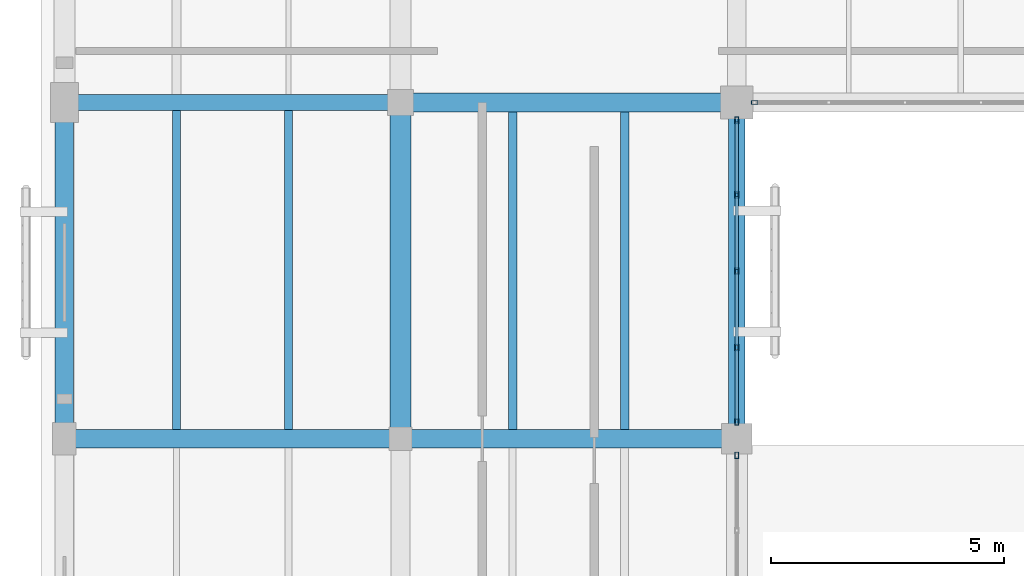
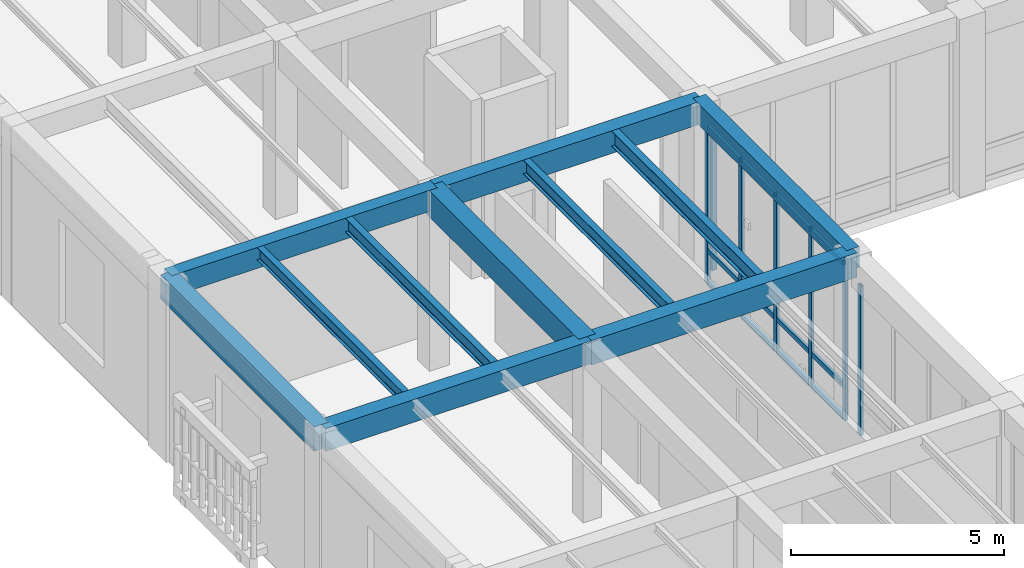
# One storey, part 56 of 169: 19 members, 11 beams, 3 elements without a shape of their own.
"""IFC4 building model written with IfcOpenShell, lengths in metres."""

from ifc_helpers import new_model, si_unit, direction, frame, origin, origin_2d, place, context, subcontext, project, spatial, rectangle, hollow_rectangle, i_section, extrude, material, layer, layer_set, material_profile, profile_set, type_object, element, aggregate, save


model = new_model("IFC4")

# Units and contexts
model_context = context("Model", 3, precision=1e-05, world=origin(), true_north=direction((0.0, 1.0)))
body_context = subcontext(model_context, "Body", "Model", "MODEL_VIEW")
ifc_project = project(units=[si_unit("LENGTHUNIT", "METRE"), si_unit("AREAUNIT", "SQUARE_METRE"), si_unit("VOLUMEUNIT", "CUBIC_METRE"), si_unit("PLANEANGLEUNIT", "RADIAN"), si_unit("MASSUNIT", "GRAM", prefix="KILO")], contexts=[model_context])

# Site, building, storey
site_placement = place(None, origin())
site = spatial("IfcSite", under=ifc_project, at=site_placement, CompositionType="ELEMENT")
building_placement = place(site_placement, origin())
building = spatial("IfcBuilding", under=site, at=building_placement, Name="Mazaris Harbour Polytechnic", CompositionType="ELEMENT")
storey_placement = place(building_placement, origin())
storey = spatial("IfcBuildingStorey", under=building, at=storey_placement, Name="L00", CompositionType="ELEMENT", Elevation=0.0)

# Curtain wall, member
ifc_material_1 = material(Name="Anodised Bronze Aluminium and Low-E Glass", Category="aluminium")
ifc_layer = layer(ifc_material_1, 0.159912109375, Name="Anodised Bronze Aluminium and Low-E Glass")
ifc_layer_set = layer_set([ifc_layer], Name="Anodised Bronze Aluminium and Low-E Glass")
curtain_wall_type = type_object("IfcCurtainWallType", Name="Cloister Court Curtain Wall", PredefinedType="NOTDEFINED", material=ifc_layer_set)
curtain_wall_1_placement = place(storey_placement, origin())
curtain_wall_1 = element("IfcCurtainWall", 1, at=curtain_wall_1_placement, inside=storey, type_object=curtain_wall_type, Name="V4 L00 Curtain Wall 101", PredefinedType="NOTDEFINED")
ifc_material_2 = material(Name="Anodised Bronze Steel S355", Category="steel")
ifc_material_profile_1 = material_profile(ifc_material_2, hollow_rectangle(XDim=0.080078125, YDim=0.139892578125, WallThickness=0.00634765625, at=origin_2d()), Name="RHS 80x140x6.3")
ifc_profile_set_1 = profile_set([ifc_material_profile_1], Name="Anodised Bronze Steel S355")
member_type_1 = type_object("IfcMemberType", Name="Curtain Mullion RHS80x140", PredefinedType="MULLION", material=ifc_profile_set_1)
member_1_placement = place(storey_placement, frame((14.781982421875, 68.39990234375, 0.0), z_axis=(0.0, 0.0, 1.0), x_axis=(0.0, -1.0, 0.0)))
member_1 = element("IfcMember", 2, at=member_1_placement, type_object=member_type_1, Name="CW-02 mullion 5", PredefinedType="MULLION", context=body_context, shape_type="SweptSolid", body=[
    extrude(hollow_rectangle(XDim=0.080078125, YDim=0.139892578125, WallThickness=0.00634765625, at=origin_2d()), origin(), (0.0, 0.0, 1.0), 4.389892578125),
])
aggregate(curtain_wall_1, [member_1])

curtain_wall_2_placement = place(storey_placement, origin())
curtain_wall_2 = element("IfcCurtainWall", 3, at=curtain_wall_2_placement, inside=storey, type_object=curtain_wall_type, Name="V4 L00 Curtain Wall 105", PredefinedType="NOTDEFINED")
member_2_placement = place(storey_placement, frame((14.39990234375, 60.843017578125, 0.0), z_axis=(0.0, 0.0, 1.0), x_axis=(-1.0, 0.0, 0.0)))
member_2 = element("IfcMember", 4, at=member_2_placement, type_object=member_type_1, Name="CW-02 mullion 5", PredefinedType="MULLION", context=body_context, shape_type="SweptSolid", body=[
    extrude(hollow_rectangle(XDim=0.080078125, YDim=0.139892578125, WallThickness=0.00634765625, at=origin_2d()), origin(), (0.0, 0.0, 1.0), 4.2900390625),
])
aggregate(curtain_wall_2, [member_2])

# Curtain wall, members
curtain_wall_3_placement = place(storey_placement, origin())
curtain_wall_3 = element("IfcCurtainWall", 5, at=curtain_wall_3_placement, inside=storey, type_object=curtain_wall_type, Name="V4 L00 Curtain Wall 106", PredefinedType="NOTDEFINED")
member_3_placement = place(storey_placement, frame((14.39990234375, 61.556884765625, 0.0), z_axis=(0.0, 0.0, 1.0), x_axis=(-1.0, 0.0, 0.0)))
member_3 = element("IfcMember", 6, at=member_3_placement, type_object=member_type_1, Name="CW-02 mullion 1", PredefinedType="MULLION", context=body_context, shape_type="SweptSolid", body=[
    extrude(hollow_rectangle(XDim=0.080078125, YDim=0.139892578125, WallThickness=0.00634765625, at=origin_2d()), origin(), (0.0, 0.0, 1.0), 4.489990234375),
])
member_4_placement = place(storey_placement, frame((14.39990234375, 63.15234375, 0.0), z_axis=(0.0, 0.0, 1.0), x_axis=(-1.0, 0.0, 0.0)))
member_4 = element("IfcMember", 7, at=member_4_placement, type_object=member_type_1, Name="CW-02 mullion 2", PredefinedType="MULLION", context=body_context, shape_type="SweptSolid", body=[
    extrude(hollow_rectangle(XDim=0.080078125, YDim=0.139892578125, WallThickness=0.00634765625, at=origin_2d()), origin(), (0.0, 0.0, 1.0), 4.489990234375),
])
member_5_placement = place(storey_placement, frame((14.39990234375, 64.78759765625, 0.0), z_axis=(0.0, 0.0, 1.0), x_axis=(-1.0, 0.0, 0.0)))
member_5 = element("IfcMember", 8, at=member_5_placement, type_object=member_type_1, Name="CW-02 mullion 3", PredefinedType="MULLION", context=body_context, shape_type="SweptSolid", body=[
    extrude(hollow_rectangle(XDim=0.080078125, YDim=0.139892578125, WallThickness=0.00634765625, at=origin_2d()), origin(), (0.0, 0.0, 1.0), 4.489990234375),
])
member_6_placement = place(storey_placement, frame((14.39990234375, 66.4228515625, 0.0), z_axis=(0.0, 0.0, 1.0), x_axis=(-1.0, 0.0, 0.0)))
member_6 = element("IfcMember", 9, at=member_6_placement, type_object=member_type_1, Name="CW-02 mullion 4", PredefinedType="MULLION", context=body_context, shape_type="SweptSolid", body=[
    extrude(hollow_rectangle(XDim=0.080078125, YDim=0.139892578125, WallThickness=0.00634765625, at=origin_2d()), origin(), (0.0, 0.0, 1.0), 4.489990234375),
])
member_7_placement = place(storey_placement, frame((14.39990234375, 68.01806640625, 0.0), z_axis=(0.0, 0.0, 1.0), x_axis=(-1.0, 0.0, 0.0)))
member_7 = element("IfcMember", 10, at=member_7_placement, type_object=member_type_1, Name="CW-02 mullion 5", PredefinedType="MULLION", context=body_context, shape_type="SweptSolid", body=[
    extrude(hollow_rectangle(XDim=0.080078125, YDim=0.139892578125, WallThickness=0.00634765625, at=origin_2d()), origin(), (0.0, 0.0, 1.0), 4.489990234375),
])
ifc_material_3 = material(Name="Anodised Bronze Steel S355", Category="steel")
ifc_material_profile_2 = material_profile(ifc_material_3, hollow_rectangle(XDim=0.080078125, YDim=0.139892578125, WallThickness=0.00634765625, at=origin_2d()), Name="RHS 80x140x6.3")
ifc_profile_set_2 = profile_set([ifc_material_profile_2], Name="Anodised Bronze Steel S355")
member_type_2 = type_object("IfcMemberType", Name="Curtain Transom RHS80x140", PredefinedType="USERDEFINED", material=ifc_profile_set_2)
member_8_placement = place(storey_placement, frame((14.39990234375, 61.596923828125, 0.0400390625), z_axis=(0.0, 1.0, 0.0), x_axis=(-1.0, 0.0, 0.0)))
member_8 = element("IfcMember", 11, at=member_8_placement, type_object=member_type_2, Name="CW-02 transom 1.1", ObjectType="TRANSOM", PredefinedType="USERDEFINED", context=body_context, shape_type="SweptSolid", body=[
    extrude(hollow_rectangle(XDim=0.080078125, YDim=0.139892578125, WallThickness=0.00634765625, at=origin_2d()), origin(), (0.0, 0.0, 1.0), 1.515380859375),
])
member_9_placement = place(storey_placement, frame((14.39990234375, 61.596923828125, 0.949951171875), z_axis=(0.0, 1.0, 0.0), x_axis=(-1.0, 0.0, 0.0)))
member_9 = element("IfcMember", 12, at=member_9_placement, type_object=member_type_2, Name="CW-02 transom 1.2", ObjectType="TRANSOM", PredefinedType="USERDEFINED", context=body_context, shape_type="SweptSolid", body=[
    extrude(hollow_rectangle(XDim=0.080078125, YDim=0.139892578125, WallThickness=0.00634765625, at=origin_2d()), origin(), (0.0, 0.0, 1.0), 1.515380859375),
])
member_10_placement = place(storey_placement, frame((14.39990234375, 61.596923828125, 4.449951171875), z_axis=(0.0, 1.0, 0.0), x_axis=(-1.0, 0.0, 0.0)))
member_10 = element("IfcMember", 13, at=member_10_placement, type_object=member_type_2, Name="CW-02 transom 1.3", ObjectType="TRANSOM", PredefinedType="USERDEFINED", context=body_context, shape_type="SweptSolid", body=[
    extrude(hollow_rectangle(XDim=0.080078125, YDim=0.139892578125, WallThickness=0.00634765625, at=origin_2d()), origin(), (0.0, 0.0, 1.0), 1.515380859375),
])
member_11_placement = place(storey_placement, frame((14.39990234375, 63.192138671875, 0.0400390625), z_axis=(0.0, 1.0, 0.0), x_axis=(-1.0, 0.0, 0.0)))
member_11 = element("IfcMember", 14, at=member_11_placement, type_object=member_type_2, Name="CW-02 transom 2.1", ObjectType="TRANSOM", PredefinedType="USERDEFINED", context=body_context, shape_type="SweptSolid", body=[
    extrude(hollow_rectangle(XDim=0.080078125, YDim=0.139892578125, WallThickness=0.00634765625, at=origin_2d()), origin(), (0.0, 0.0, 1.0), 1.555419921875),
])
member_12_placement = place(storey_placement, frame((14.39990234375, 63.192138671875, 0.949951171875), z_axis=(0.0, 1.0, 0.0), x_axis=(-1.0, 0.0, 0.0)))
member_12 = element("IfcMember", 15, at=member_12_placement, type_object=member_type_2, Name="CW-02 transom 2.2", ObjectType="TRANSOM", PredefinedType="USERDEFINED", context=body_context, shape_type="SweptSolid", body=[
    extrude(hollow_rectangle(XDim=0.080078125, YDim=0.139892578125, WallThickness=0.00634765625, at=origin_2d()), origin(), (0.0, 0.0, 1.0), 1.555419921875),
])
member_13_placement = place(storey_placement, frame((14.39990234375, 63.192138671875, 4.449951171875), z_axis=(0.0, 1.0, 0.0), x_axis=(-1.0, 0.0, 0.0)))
member_13 = element("IfcMember", 16, at=member_13_placement, type_object=member_type_2, Name="CW-02 transom 2.3", ObjectType="TRANSOM", PredefinedType="USERDEFINED", context=body_context, shape_type="SweptSolid", body=[
    extrude(hollow_rectangle(XDim=0.080078125, YDim=0.139892578125, WallThickness=0.00634765625, at=origin_2d()), origin(), (0.0, 0.0, 1.0), 1.555419921875),
])
member_14_placement = place(storey_placement, frame((14.39990234375, 64.827392578125, 0.0400390625), z_axis=(0.0, 1.0, 0.0), x_axis=(-1.0, 0.0, 0.0)))
member_14 = element("IfcMember", 17, at=member_14_placement, type_object=member_type_2, Name="CW-02 transom 3.1", ObjectType="TRANSOM", PredefinedType="USERDEFINED", context=body_context, shape_type="SweptSolid", body=[
    extrude(hollow_rectangle(XDim=0.080078125, YDim=0.139892578125, WallThickness=0.00634765625, at=origin_2d()), origin(), (0.0, 0.0, 1.0), 1.555419921875),
])
member_15_placement = place(storey_placement, frame((14.39990234375, 64.827392578125, 0.949951171875), z_axis=(0.0, 1.0, 0.0), x_axis=(-1.0, 0.0, 0.0)))
member_15 = element("IfcMember", 18, at=member_15_placement, type_object=member_type_2, Name="CW-02 transom 3.2", ObjectType="TRANSOM", PredefinedType="USERDEFINED", context=body_context, shape_type="SweptSolid", body=[
    extrude(hollow_rectangle(XDim=0.080078125, YDim=0.139892578125, WallThickness=0.00634765625, at=origin_2d()), origin(), (0.0, 0.0, 1.0), 1.555419921875),
])
member_16_placement = place(storey_placement, frame((14.39990234375, 64.827392578125, 4.449951171875), z_axis=(0.0, 1.0, 0.0), x_axis=(-1.0, 0.0, 0.0)))
member_16 = element("IfcMember", 19, at=member_16_placement, type_object=member_type_2, Name="CW-02 transom 3.3", ObjectType="TRANSOM", PredefinedType="USERDEFINED", context=body_context, shape_type="SweptSolid", body=[
    extrude(hollow_rectangle(XDim=0.080078125, YDim=0.139892578125, WallThickness=0.00634765625, at=origin_2d()), origin(), (0.0, 0.0, 1.0), 1.555419921875),
])
member_17_placement = place(storey_placement, frame((14.39990234375, 66.462646484375, 0.0400390625), z_axis=(0.0, 1.0, 0.0), x_axis=(-1.0, 0.0, 0.0)))
member_17 = element("IfcMember", 20, at=member_17_placement, type_object=member_type_2, Name="CW-02 transom 4.1", ObjectType="TRANSOM", PredefinedType="USERDEFINED", context=body_context, shape_type="SweptSolid", body=[
    extrude(hollow_rectangle(XDim=0.080078125, YDim=0.139892578125, WallThickness=0.00634765625, at=origin_2d()), origin(), (0.0, 0.0, 1.0), 1.515380859375),
])
member_18_placement = place(storey_placement, frame((14.39990234375, 66.462646484375, 0.949951171875), z_axis=(0.0, 1.0, 0.0), x_axis=(-1.0, 0.0, 0.0)))
member_18 = element("IfcMember", 21, at=member_18_placement, type_object=member_type_2, Name="CW-02 transom 4.2", ObjectType="TRANSOM", PredefinedType="USERDEFINED", context=body_context, shape_type="SweptSolid", body=[
    extrude(hollow_rectangle(XDim=0.080078125, YDim=0.139892578125, WallThickness=0.00634765625, at=origin_2d()), origin(), (0.0, 0.0, 1.0), 1.515380859375),
])
member_19_placement = place(storey_placement, frame((14.39990234375, 66.462646484375, 4.449951171875), z_axis=(0.0, 1.0, 0.0), x_axis=(-1.0, 0.0, 0.0)))
member_19 = element("IfcMember", 22, at=member_19_placement, type_object=member_type_2, Name="CW-02 transom 4.3", ObjectType="TRANSOM", PredefinedType="USERDEFINED", context=body_context, shape_type="SweptSolid", body=[
    extrude(hollow_rectangle(XDim=0.080078125, YDim=0.139892578125, WallThickness=0.00634765625, at=origin_2d()), origin(), (0.0, 0.0, 1.0), 1.515380859375),
])
aggregate(curtain_wall_3, [member_3, member_4, member_5, member_6, member_7, member_8, member_9, member_10, member_11, member_12, member_13, member_14, member_15, member_16, member_17, member_18, member_19])

# Beams
ifc_material_4 = material(Name="Concrete C35/45", Category="concrete")
ifc_material_profile_3 = material_profile(ifc_material_4, rectangle(XDim=0.35009765625, YDim=0.60009765625, at=origin_2d()), Name="RECT350x600")
ifc_profile_set_3 = profile_set([ifc_material_profile_3], Name="Concrete C35/45")
beam_type_1 = type_object("IfcBeamType", Name="RC Girder 350x600", PredefinedType="BEAM", material=ifc_profile_set_3)
for number, where, z_axis, x_axis, name in (
    (23, (0.0, 68.39990234375, 4.800048828125), (1.0, 0.0, 0.0), (0.0, 1.0, 0.0), "V4 L00 Girder 1395"),
    (24, (14.39990234375, 61.199951171875, 4.800048828125), (0.0, 1.0, 0.0), (-1.0, 0.0, 0.0), "V4 L00 Tie Girder 1455"),
):
    element("IfcBeam", number, at=place(storey_placement, frame(where, z_axis=z_axis, x_axis=x_axis)), inside=storey, type_object=beam_type_1, Name=name, PredefinedType="BEAM", context=body_context, shape_type="SweptSolid", body=[
        extrude(rectangle(XDim=0.35009765625, YDim=0.60009765625, at=origin_2d()), origin(), (0.0, 0.0, 1.0), 7.199951171875),
    ])
ifc_material_5 = material(Name="Concrete C35/45", Category="concrete")
ifc_material_profile_4 = material_profile(ifc_material_5, rectangle(XDim=0.39990234375, YDim=0.64990234375, at=origin_2d()), Name="RECT400x650")
ifc_profile_set_4 = profile_set([ifc_material_profile_4], Name="Concrete C35/45")
beam_type_2 = type_object("IfcBeamType", Name="RC Girder 400x650", PredefinedType="BEAM", material=ifc_profile_set_4)
for number, where, z_axis, x_axis, name in (
    (25, (0.0, 61.199951171875, 4.77490234375), (1.0, 0.0, 0.0), (0.0, 1.0, 0.0), "V4 L00 Girder 1391"),
    (26, (7.199951171875, 68.39990234375, 4.77490234375), (1.0, 0.0, 0.0), (0.0, 1.0, 0.0), "V4 L00 Girder 1396"),
):
    element("IfcBeam", number, at=place(storey_placement, frame(where, z_axis=z_axis, x_axis=x_axis)), inside=storey, type_object=beam_type_2, Name=name, PredefinedType="BEAM", context=body_context, shape_type="SweptSolid", body=[
        extrude(rectangle(XDim=0.39990234375, YDim=0.64990234375, at=origin_2d()), origin(), (0.0, 0.0, 1.0), 7.199951171875),
    ])
ifc_material_6 = material(Name="Concrete C35/45", Category="concrete")
ifc_material_profile_5 = material_profile(ifc_material_6, rectangle(XDim=0.39990234375, YDim=0.699951171875, at=origin_2d()), Name="RECT400x700")
ifc_profile_set_5 = profile_set([ifc_material_profile_5], Name="Concrete C35/45")
beam_type_3 = type_object("IfcBeamType", Name="RC Girder 400x700", PredefinedType="BEAM", material=ifc_profile_set_5)
beam_1_placement = place(storey_placement, frame((7.199951171875, 61.199951171875, 4.75), z_axis=(1.0, 0.0, 0.0), x_axis=(0.0, 1.0, 0.0)))
element("IfcBeam", 27, at=beam_1_placement, inside=storey, type_object=beam_type_3, Name="V4 L00 Girder 1392", PredefinedType="BEAM", context=body_context, shape_type="SweptSolid", body=[
    extrude(rectangle(XDim=0.39990234375, YDim=0.699951171875, at=origin_2d()), origin(), (0.0, 0.0, 1.0), 7.199951171875),
])
ifc_material_7 = material(Name="Concrete C35/45", Category="concrete")
ifc_material_profile_6 = material_profile(ifc_material_7, rectangle(XDim=0.39990234375, YDim=0.699951171875, at=origin_2d()), Name="RECT400x700")
ifc_profile_set_6 = profile_set([ifc_material_profile_6], Name="Concrete C35/45")
beam_type_4 = type_object("IfcBeamType", Name="RC Girder 400x700 Exterior", PredefinedType="BEAM", material=ifc_profile_set_6)
beam_2_placement = place(storey_placement, frame((0.0, 61.199951171875, 4.75), z_axis=(0.0, 1.0, 0.0), x_axis=(-1.0, 0.0, 0.0)))
element("IfcBeam", 28, at=beam_2_placement, inside=storey, type_object=beam_type_4, Name="V4 L00 Tie Girder 1432", PredefinedType="BEAM", context=body_context, shape_type="SweptSolid", body=[
    extrude(rectangle(XDim=0.39990234375, YDim=0.699951171875, at=origin_2d()), origin(), (0.0, 0.0, 1.0), 7.199951171875),
])
ifc_material_8 = material(Name="Concrete C40/50", Category="concrete")
ifc_material_profile_7 = material_profile(ifc_material_8, rectangle(XDim=0.449951171875, YDim=0.75, at=origin_2d()), Name="RECT450x750")
ifc_profile_set_7 = profile_set([ifc_material_profile_7], Name="Concrete C40/50")
beam_type_5 = type_object("IfcBeamType", Name="RC Girder 450x750", PredefinedType="BEAM", material=ifc_profile_set_7)
beam_3_placement = place(storey_placement, frame((7.199951171875, 61.199951171875, 4.72509765625), z_axis=(0.0, 1.0, 0.0), x_axis=(-1.0, 0.0, 0.0)))
element("IfcBeam", 29, at=beam_3_placement, inside=storey, type_object=beam_type_5, Name="V4 L00 Tie Girder 1443", PredefinedType="BEAM", context=body_context, shape_type="SweptSolid", body=[
    extrude(rectangle(XDim=0.449951171875, YDim=0.75, at=origin_2d()), origin(), (0.0, 0.0, 1.0), 7.199951171875),
])
ifc_material_9 = material(Name="Steel S355", Category="steel")
ifc_material_profile_8 = material_profile(ifc_material_9, i_section(OverallWidth=0.169921875, OverallDepth=0.360107421875, WebThickness=0.008056640625, FlangeThickness=0.0126953125, FilletRadius=0.01806640625, at=origin_2d()), Name="IPE 360")
ifc_profile_set_8 = profile_set([ifc_material_profile_8], Name="Steel S355")
beam_type_6 = type_object("IfcBeamType", Name="Steel Joist IPE360", PredefinedType="JOIST", material=ifc_profile_set_8)
beam_4_placement = place(storey_placement, frame((2.39990234375, 61.39990234375, 4.919921875), z_axis=(0.0, 1.0, 0.0), x_axis=(-1.0, 0.0, 0.0)))
element("IfcBeam", 30, at=beam_4_placement, inside=storey, type_object=beam_type_6, Name="V4 L00 Floor Joist 1516", PredefinedType="JOIST", context=body_context, shape_type="SweptSolid", body=[
    extrude(i_section(OverallWidth=0.169921875, OverallDepth=0.360107421875, WebThickness=0.008056640625, FlangeThickness=0.0126953125, FilletRadius=0.01806640625, at=origin_2d()), origin(), (0.0, 0.0, 1.0), 6.8251953125),
])
ifc_material_10 = material(Name="Steel S355", Category="steel")
ifc_material_profile_9 = material_profile(ifc_material_10, i_section(OverallWidth=0.179931640625, OverallDepth=0.39990234375, WebThickness=0.008544921875, FlangeThickness=0.013427734375, FilletRadius=0.02099609375, at=origin_2d()), Name="IPE 400")
ifc_profile_set_9 = profile_set([ifc_material_profile_9], Name="Steel S355")
beam_type_7 = type_object("IfcBeamType", Name="Steel Joist IPE400", PredefinedType="JOIST", material=ifc_profile_set_9)
beam_5_placement = place(storey_placement, frame((4.800048828125, 61.39990234375, 4.89990234375), z_axis=(0.0, 1.0, 0.0), x_axis=(-1.0, 0.0, 0.0)))
element("IfcBeam", 31, at=beam_5_placement, inside=storey, type_object=beam_type_7, Name="V4 L00 Floor Joist 1517", PredefinedType="JOIST", context=body_context, shape_type="SweptSolid", body=[
    extrude(i_section(OverallWidth=0.179931640625, OverallDepth=0.39990234375, WebThickness=0.008544921875, FlangeThickness=0.013427734375, FilletRadius=0.02099609375, at=origin_2d()), origin(), (0.0, 0.0, 1.0), 6.8251953125),
])
beam_6_placement = place(storey_placement, frame((9.60009765625, 61.39990234375, 4.89990234375), z_axis=(0.0, 1.0, 0.0), x_axis=(-1.0, 0.0, 0.0)))
element("IfcBeam", 32, at=beam_6_placement, inside=storey, type_object=beam_type_7, Name="V4 L00 Floor Joist 1538", PredefinedType="JOIST", context=body_context, shape_type="SweptSolid", body=[
    extrude(i_section(OverallWidth=0.179931640625, OverallDepth=0.39990234375, WebThickness=0.008544921875, FlangeThickness=0.013427734375, FilletRadius=0.02099609375, at=origin_2d()), origin(), (0.0, 0.0, 1.0), 6.800048828125),
])
ifc_material_11 = material(Name="Steel S355", Category="steel")
ifc_material_profile_10 = material_profile(ifc_material_11, i_section(OverallWidth=0.18994140625, OverallDepth=0.449951171875, WebThickness=0.009521484375, FlangeThickness=0.0146484375, FilletRadius=0.02099609375, at=origin_2d()), Name="IPE 450")
ifc_profile_set_10 = profile_set([ifc_material_profile_10], Name="Steel S355")
beam_type_8 = type_object("IfcBeamType", Name="Steel Joist IPE450", PredefinedType="JOIST", material=ifc_profile_set_10)
beam_7_placement = place(storey_placement, frame((12.0, 61.39990234375, 4.875), z_axis=(0.0, 1.0, 0.0), x_axis=(-1.0, 0.0, 0.0)))
element("IfcBeam", 33, at=beam_7_placement, inside=storey, type_object=beam_type_8, Name="V4 L00 Floor Joist 1539", PredefinedType="JOIST", context=body_context, shape_type="SweptSolid", body=[
    extrude(i_section(OverallWidth=0.18994140625, OverallDepth=0.449951171875, WebThickness=0.009521484375, FlangeThickness=0.0146484375, FilletRadius=0.02099609375, at=origin_2d()), origin(), (0.0, 0.0, 1.0), 6.800048828125),
])

save(model, "model.ifc")
